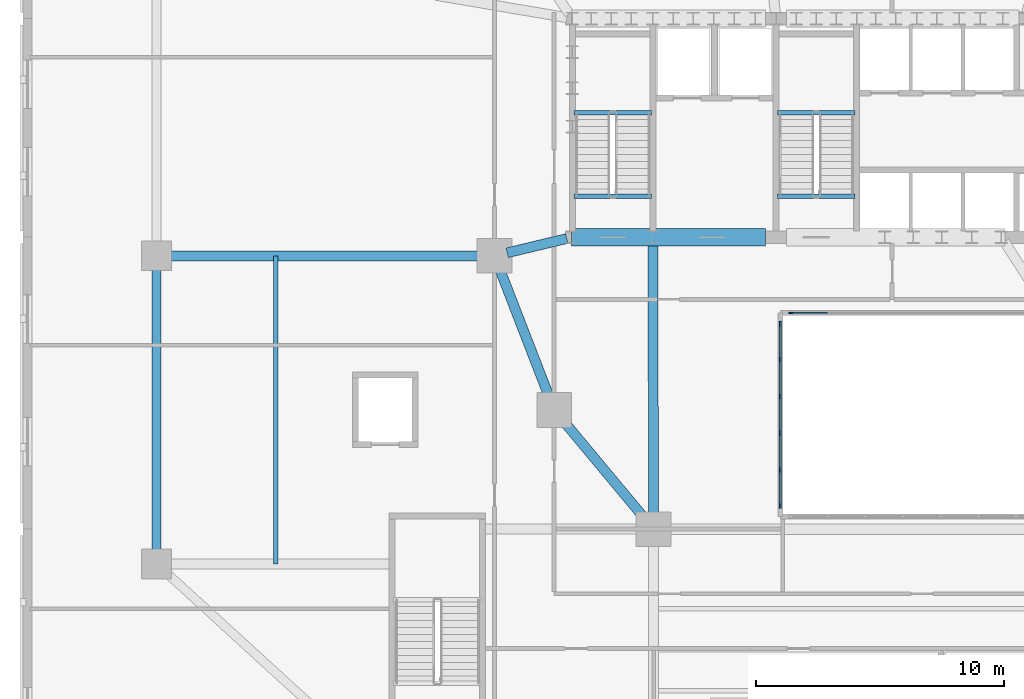
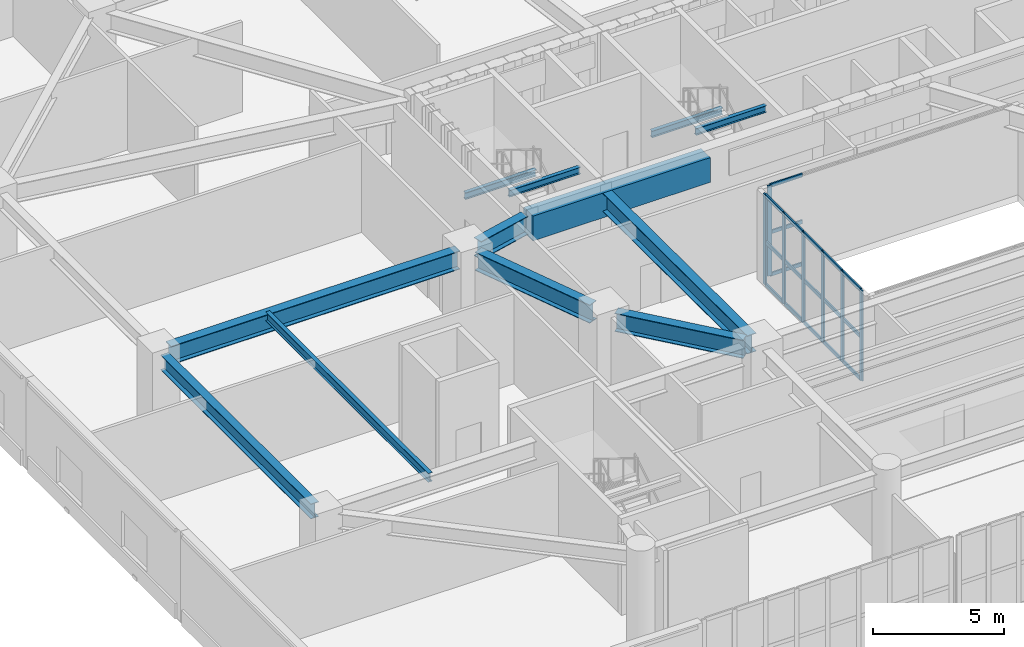
# One storey, part 4 of 25: 25 members, 12 beams, 2 elements without a shape of their own.
"""IFC4 building model written with IfcOpenShell, lengths in metres."""

from ifc_helpers import new_model, si_unit, direction, frame, origin, origin_2d, place, context, subcontext, project, spatial, rectangle, i_section, extrude, material, material_profile, profile_set, type_object, element, aggregate, save


model = new_model("IFC4")

# Units and contexts
model_context = context("Model", 3, precision=1e-05, world=origin(), true_north=direction((0.0, 1.0)))
body_context = subcontext(model_context, "Body", "Model", "MODEL_VIEW")
ifc_project = project(units=[si_unit("LENGTHUNIT", "METRE"), si_unit("AREAUNIT", "SQUARE_METRE"), si_unit("VOLUMEUNIT", "CUBIC_METRE"), si_unit("PLANEANGLEUNIT", "RADIAN"), si_unit("MASSUNIT", "GRAM", prefix="KILO")], contexts=[model_context])

# Site, building, storey
site_placement = place(None, origin())
site = spatial("IfcSite", under=ifc_project, at=site_placement, CompositionType="ELEMENT")
building_placement = place(site_placement, origin())
building = spatial("IfcBuilding", under=site, at=building_placement, Name="Haldorwick Loom Tower", CompositionType="ELEMENT")
storey_placement = place(building_placement, frame((0.0, 0.0, 10.5)))
storey = spatial("IfcBuildingStorey", under=building, at=storey_placement, Name="L02", CompositionType="ELEMENT", Elevation=10.5)

# Curtain wall, member
ifc_material_1 = material(Name="Thermally Broken Anodized Aluminium Curtain Wall Framing", Category="aluminium")
curtain_wall_type = type_object("IfcCurtainWallType", Name="ARC-CW-03", PredefinedType="NOTDEFINED", material=ifc_material_1)
curtain_wall_1_placement = place(storey_placement, origin())
curtain_wall_1 = element("IfcCurtainWall", 1, at=curtain_wall_1_placement, inside=storey, type_object=curtain_wall_type, Name="L02 Atrium Glazed Screen N", PredefinedType="NOTDEFINED")
ifc_material_profile_1 = material_profile(ifc_material_1, rectangle(XDim=0.06591796875, YDim=0.18505859375, at=origin_2d()), Name="ALU_MUL_66X185", Category="aluminium")
ifc_profile_set_1 = profile_set([ifc_material_profile_1], Name="Thermally Broken Anodized Aluminium Curtain Wall Framing")
member_type_1 = type_object("IfcMemberType", Name="ARC-CWM-03", PredefinedType="MULLION", material=ifc_profile_set_1)
member_1_placement = place(storey_placement, frame((30.73291015625, 23.699951171875, 0.0), z_axis=(0.0, 0.0, 1.0), x_axis=(0.0, 1.0, 0.0)))
member_1 = element("IfcMember", 2, at=member_1_placement, type_object=member_type_1, Name="CW-03 mullion 1", PredefinedType="MULLION", context=body_context, shape_type="SweptSolid", body=[
    extrude(rectangle(XDim=0.06591796875, YDim=0.18505859375, at=origin_2d()), origin(), (0.0, 0.0, 1.0), 4.199951171875),
])

# Curtain wall, members
curtain_wall_2_placement = place(storey_placement, origin())
curtain_wall_2 = element("IfcCurtainWall", 3, at=curtain_wall_2_placement, inside=storey, type_object=curtain_wall_type, Name="L02 Atrium Glazed Screen W", PredefinedType="NOTDEFINED")
member_2_placement = place(storey_placement, frame((30.300048828125, 15.93310546875, 0.0), z_axis=(0.0, 0.0, 1.0), x_axis=(-1.0, 0.0, 0.0)))
member_2 = element("IfcMember", 4, at=member_2_placement, type_object=member_type_1, Name="CW-03 mullion 1", PredefinedType="MULLION", context=body_context, shape_type="SweptSolid", body=[
    extrude(rectangle(XDim=0.06591796875, YDim=0.18505859375, at=origin_2d()), origin(), (0.0, 0.0, 1.0), 4.199951171875),
])
member_3_placement = place(storey_placement, frame((30.300048828125, 17.3798828125, 0.0), z_axis=(0.0, 0.0, 1.0), x_axis=(-1.0, 0.0, 0.0)))
member_3 = element("IfcMember", 5, at=member_3_placement, type_object=member_type_1, Name="CW-03 mullion 2", PredefinedType="MULLION", context=body_context, shape_type="SweptSolid", body=[
    extrude(rectangle(XDim=0.06591796875, YDim=0.18505859375, at=origin_2d()), origin(), (0.0, 0.0, 1.0), 4.199951171875),
])
member_4_placement = place(storey_placement, frame((30.300048828125, 18.860107421875, 0.0), z_axis=(0.0, 0.0, 1.0), x_axis=(-1.0, 0.0, 0.0)))
member_4 = element("IfcMember", 6, at=member_4_placement, type_object=member_type_1, Name="CW-03 mullion 3", PredefinedType="MULLION", context=body_context, shape_type="SweptSolid", body=[
    extrude(rectangle(XDim=0.06591796875, YDim=0.18505859375, at=origin_2d()), origin(), (0.0, 0.0, 1.0), 4.199951171875),
])
member_5_placement = place(storey_placement, frame((30.300048828125, 20.340087890625, 0.0), z_axis=(0.0, 0.0, 1.0), x_axis=(-1.0, 0.0, 0.0)))
member_5 = element("IfcMember", 7, at=member_5_placement, type_object=member_type_1, Name="CW-03 mullion 4", PredefinedType="MULLION", context=body_context, shape_type="SweptSolid", body=[
    extrude(rectangle(XDim=0.06591796875, YDim=0.18505859375, at=origin_2d()), origin(), (0.0, 0.0, 1.0), 4.199951171875),
])
member_6_placement = place(storey_placement, frame((30.300048828125, 21.820068359375, 0.0), z_axis=(0.0, 0.0, 1.0), x_axis=(-1.0, 0.0, 0.0)))
member_6 = element("IfcMember", 8, at=member_6_placement, type_object=member_type_1, Name="CW-03 mullion 5", PredefinedType="MULLION", context=body_context, shape_type="SweptSolid", body=[
    extrude(rectangle(XDim=0.06591796875, YDim=0.18505859375, at=origin_2d()), origin(), (0.0, 0.0, 1.0), 4.199951171875),
])
member_7_placement = place(storey_placement, frame((30.300048828125, 23.26708984375, 0.0), z_axis=(0.0, 0.0, 1.0), x_axis=(-1.0, 0.0, 0.0)))
member_7 = element("IfcMember", 9, at=member_7_placement, type_object=member_type_1, Name="CW-03 mullion 6", PredefinedType="MULLION", context=body_context, shape_type="SweptSolid", body=[
    extrude(rectangle(XDim=0.06591796875, YDim=0.18505859375, at=origin_2d()), origin(), (0.0, 0.0, 1.0), 4.199951171875),
])

# Member
ifc_material_profile_2 = material_profile(ifc_material_1, rectangle(XDim=0.06591796875, YDim=0.1650390625, at=origin_2d()), Name="ALU_TRN_66X165", Category="aluminium")
ifc_profile_set_2 = profile_set([ifc_material_profile_2], Name="Thermally Broken Anodized Aluminium Curtain Wall Framing")
member_type_2 = type_object("IfcMemberType", Name="ARC-CWT-03", PredefinedType="USERDEFINED", material=ifc_profile_set_2)
member_8_placement = place(storey_placement, frame((30.76611328125, 23.699951171875, 0.032958984375), z_axis=(1.0, 0.0, 0.0), x_axis=(0.0, 1.0, 0.0)))
member_8 = element("IfcMember", 10, at=member_8_placement, type_object=member_type_2, Name="CW-03 transom 1.1", ObjectType="TRANSOM", PredefinedType="USERDEFINED", context=body_context, shape_type="SweptSolid", body=[
    extrude(rectangle(XDim=0.06591796875, YDim=0.1650390625, at=origin_2d()), origin(), (0.0, 0.0, 1.0), 1.415283203125),
])

member_9_placement = place(storey_placement, frame((30.76611328125, 23.699951171875, 2.0), z_axis=(1.0, 0.0, 0.0), x_axis=(0.0, 1.0, 0.0)))
member_9 = element("IfcMember", 11, at=member_9_placement, type_object=member_type_2, Name="CW-03 transom 1.2", ObjectType="TRANSOM", PredefinedType="USERDEFINED", context=body_context, shape_type="SweptSolid", body=[
    extrude(rectangle(XDim=0.06591796875, YDim=0.1650390625, at=origin_2d()), origin(), (0.0, 0.0, 1.0), 1.415283203125),
])

member_10_placement = place(storey_placement, frame((30.76611328125, 23.699951171875, 4.1669921875), z_axis=(1.0, 0.0, 0.0), x_axis=(0.0, 1.0, 0.0)))
member_10 = element("IfcMember", 12, at=member_10_placement, type_object=member_type_2, Name="CW-03 transom 1.3", ObjectType="TRANSOM", PredefinedType="USERDEFINED", context=body_context, shape_type="SweptSolid", body=[
    extrude(rectangle(XDim=0.06591796875, YDim=0.1650390625, at=origin_2d()), origin(), (0.0, 0.0, 1.0), 1.415283203125),
])

aggregate(curtain_wall_1, [member_1, member_8, member_9, member_10])

member_11_placement = place(storey_placement, frame((30.300048828125, 15.966064453125, 0.032958984375), z_axis=(0.0, 1.0, 0.0), x_axis=(-1.0, 0.0, 0.0)))
member_11 = element("IfcMember", 13, at=member_11_placement, type_object=member_type_2, Name="CW-03 transom 1.1", ObjectType="TRANSOM", PredefinedType="USERDEFINED", context=body_context, shape_type="SweptSolid", body=[
    extrude(rectangle(XDim=0.06591796875, YDim=0.1650390625, at=origin_2d()), origin(), (0.0, 0.0, 1.0), 1.380859375),
])

member_12_placement = place(storey_placement, frame((30.300048828125, 15.966064453125, 2.0), z_axis=(0.0, 1.0, 0.0), x_axis=(-1.0, 0.0, 0.0)))
member_12 = element("IfcMember", 14, at=member_12_placement, type_object=member_type_2, Name="CW-03 transom 1.2", ObjectType="TRANSOM", PredefinedType="USERDEFINED", context=body_context, shape_type="SweptSolid", body=[
    extrude(rectangle(XDim=0.06591796875, YDim=0.1650390625, at=origin_2d()), origin(), (0.0, 0.0, 1.0), 1.380859375),
])

member_13_placement = place(storey_placement, frame((30.300048828125, 15.966064453125, 4.1669921875), z_axis=(0.0, 1.0, 0.0), x_axis=(-1.0, 0.0, 0.0)))
member_13 = element("IfcMember", 15, at=member_13_placement, type_object=member_type_2, Name="CW-03 transom 1.3", ObjectType="TRANSOM", PredefinedType="USERDEFINED", context=body_context, shape_type="SweptSolid", body=[
    extrude(rectangle(XDim=0.06591796875, YDim=0.1650390625, at=origin_2d()), origin(), (0.0, 0.0, 1.0), 1.380859375),
])

member_14_placement = place(storey_placement, frame((30.300048828125, 17.4130859375, 0.032958984375), z_axis=(0.0, 1.0, 0.0), x_axis=(-1.0, 0.0, 0.0)))
member_14 = element("IfcMember", 16, at=member_14_placement, type_object=member_type_2, Name="CW-03 transom 2.1", ObjectType="TRANSOM", PredefinedType="USERDEFINED", context=body_context, shape_type="SweptSolid", body=[
    extrude(rectangle(XDim=0.06591796875, YDim=0.1650390625, at=origin_2d()), origin(), (0.0, 0.0, 1.0), 1.413818359375),
])

member_15_placement = place(storey_placement, frame((30.300048828125, 17.4130859375, 2.0), z_axis=(0.0, 1.0, 0.0), x_axis=(-1.0, 0.0, 0.0)))
member_15 = element("IfcMember", 17, at=member_15_placement, type_object=member_type_2, Name="CW-03 transom 2.2", ObjectType="TRANSOM", PredefinedType="USERDEFINED", context=body_context, shape_type="SweptSolid", body=[
    extrude(rectangle(XDim=0.06591796875, YDim=0.1650390625, at=origin_2d()), origin(), (0.0, 0.0, 1.0), 1.413818359375),
])

member_16_placement = place(storey_placement, frame((30.300048828125, 17.4130859375, 4.1669921875), z_axis=(0.0, 1.0, 0.0), x_axis=(-1.0, 0.0, 0.0)))
member_16 = element("IfcMember", 18, at=member_16_placement, type_object=member_type_2, Name="CW-03 transom 2.3", ObjectType="TRANSOM", PredefinedType="USERDEFINED", context=body_context, shape_type="SweptSolid", body=[
    extrude(rectangle(XDim=0.06591796875, YDim=0.1650390625, at=origin_2d()), origin(), (0.0, 0.0, 1.0), 1.413818359375),
])

member_17_placement = place(storey_placement, frame((30.300048828125, 18.89306640625, 0.032958984375), z_axis=(0.0, 1.0, 0.0), x_axis=(-1.0, 0.0, 0.0)))
member_17 = element("IfcMember", 19, at=member_17_placement, type_object=member_type_2, Name="CW-03 transom 3.1", ObjectType="TRANSOM", PredefinedType="USERDEFINED", context=body_context, shape_type="SweptSolid", body=[
    extrude(rectangle(XDim=0.06591796875, YDim=0.1650390625, at=origin_2d()), origin(), (0.0, 0.0, 1.0), 1.413818359375),
])

member_18_placement = place(storey_placement, frame((30.300048828125, 18.89306640625, 2.0), z_axis=(0.0, 1.0, 0.0), x_axis=(-1.0, 0.0, 0.0)))
member_18 = element("IfcMember", 20, at=member_18_placement, type_object=member_type_2, Name="CW-03 transom 3.2", ObjectType="TRANSOM", PredefinedType="USERDEFINED", context=body_context, shape_type="SweptSolid", body=[
    extrude(rectangle(XDim=0.06591796875, YDim=0.1650390625, at=origin_2d()), origin(), (0.0, 0.0, 1.0), 1.413818359375),
])

member_19_placement = place(storey_placement, frame((30.300048828125, 18.89306640625, 4.1669921875), z_axis=(0.0, 1.0, 0.0), x_axis=(-1.0, 0.0, 0.0)))
member_19 = element("IfcMember", 21, at=member_19_placement, type_object=member_type_2, Name="CW-03 transom 3.3", ObjectType="TRANSOM", PredefinedType="USERDEFINED", context=body_context, shape_type="SweptSolid", body=[
    extrude(rectangle(XDim=0.06591796875, YDim=0.1650390625, at=origin_2d()), origin(), (0.0, 0.0, 1.0), 1.413818359375),
])

member_20_placement = place(storey_placement, frame((30.300048828125, 20.373046875, 0.032958984375), z_axis=(0.0, 1.0, 0.0), x_axis=(-1.0, 0.0, 0.0)))
member_20 = element("IfcMember", 22, at=member_20_placement, type_object=member_type_2, Name="CW-03 transom 4.1", ObjectType="TRANSOM", PredefinedType="USERDEFINED", context=body_context, shape_type="SweptSolid", body=[
    extrude(rectangle(XDim=0.06591796875, YDim=0.1650390625, at=origin_2d()), origin(), (0.0, 0.0, 1.0), 1.4140625),
])

member_21_placement = place(storey_placement, frame((30.300048828125, 20.373046875, 2.0), z_axis=(0.0, 1.0, 0.0), x_axis=(-1.0, 0.0, 0.0)))
member_21 = element("IfcMember", 23, at=member_21_placement, type_object=member_type_2, Name="CW-03 transom 4.2", ObjectType="TRANSOM", PredefinedType="USERDEFINED", context=body_context, shape_type="SweptSolid", body=[
    extrude(rectangle(XDim=0.06591796875, YDim=0.1650390625, at=origin_2d()), origin(), (0.0, 0.0, 1.0), 1.4140625),
])

member_22_placement = place(storey_placement, frame((30.300048828125, 20.373046875, 4.1669921875), z_axis=(0.0, 1.0, 0.0), x_axis=(-1.0, 0.0, 0.0)))
member_22 = element("IfcMember", 24, at=member_22_placement, type_object=member_type_2, Name="CW-03 transom 4.3", ObjectType="TRANSOM", PredefinedType="USERDEFINED", context=body_context, shape_type="SweptSolid", body=[
    extrude(rectangle(XDim=0.06591796875, YDim=0.1650390625, at=origin_2d()), origin(), (0.0, 0.0, 1.0), 1.4140625),
])

member_23_placement = place(storey_placement, frame((30.300048828125, 21.85302734375, 0.032958984375), z_axis=(0.0, 1.0, 0.0), x_axis=(-1.0, 0.0, 0.0)))
member_23 = element("IfcMember", 25, at=member_23_placement, type_object=member_type_2, Name="CW-03 transom 5.1", ObjectType="TRANSOM", PredefinedType="USERDEFINED", context=body_context, shape_type="SweptSolid", body=[
    extrude(rectangle(XDim=0.06591796875, YDim=0.1650390625, at=origin_2d()), origin(), (0.0, 0.0, 1.0), 1.380859375),
])

member_24_placement = place(storey_placement, frame((30.300048828125, 21.85302734375, 2.0), z_axis=(0.0, 1.0, 0.0), x_axis=(-1.0, 0.0, 0.0)))
member_24 = element("IfcMember", 26, at=member_24_placement, type_object=member_type_2, Name="CW-03 transom 5.2", ObjectType="TRANSOM", PredefinedType="USERDEFINED", context=body_context, shape_type="SweptSolid", body=[
    extrude(rectangle(XDim=0.06591796875, YDim=0.1650390625, at=origin_2d()), origin(), (0.0, 0.0, 1.0), 1.380859375),
])

member_25_placement = place(storey_placement, frame((30.300048828125, 21.85302734375, 4.1669921875), z_axis=(0.0, 1.0, 0.0), x_axis=(-1.0, 0.0, 0.0)))
member_25 = element("IfcMember", 27, at=member_25_placement, type_object=member_type_2, Name="CW-03 transom 5.3", ObjectType="TRANSOM", PredefinedType="USERDEFINED", context=body_context, shape_type="SweptSolid", body=[
    extrude(rectangle(XDim=0.06591796875, YDim=0.1650390625, at=origin_2d()), origin(), (0.0, 0.0, 1.0), 1.380859375),
])

aggregate(curtain_wall_2, [member_2, member_3, member_4, member_5, member_6, member_7, member_11, member_12, member_13, member_14, member_15, member_16, member_17, member_18, member_19, member_20, member_21, member_22, member_23, member_24, member_25])

# Beams
ifc_material_2 = material(Name="Concrete C60 (60 MPa)", Category="concrete")
ifc_material_profile_3 = material_profile(ifc_material_2, rectangle(XDim=0.699951171875, YDim=1.14990234375, at=origin_2d()), Name="RC700X1150", Category="concrete")
ifc_profile_set_3 = profile_set([ifc_material_profile_3], Name="Concrete C60 (60 MPa)")
beam_type_1 = type_object("IfcBeamType", Name="STR-BM-CB1150", PredefinedType="LINTEL", material=ifc_profile_set_3)
beam_1_placement = place(storey_placement, frame((21.89990234375, 26.75, 3.625), z_axis=(1.0, 0.0, 0.0), x_axis=(0.0, 1.0, 0.0)))
element("IfcBeam", 28, at=beam_1_placement, inside=storey, type_object=beam_type_1, Name="L02 Core Coupling Beam CB-S1", PredefinedType="LINTEL", context=body_context, shape_type="SweptSolid", body=[
    extrude(rectangle(XDim=0.699951171875, YDim=1.14990234375, at=origin_2d()), origin(), (0.0, 0.0, 1.0), 7.800048828125),
])
ifc_material_3 = material(Name="Steel CSA G40.21 350W", Category="steel")
ifc_material_profile_4 = material_profile(ifc_material_3, i_section(OverallWidth=0.179931640625, OverallDepth=0.4130859375, WebThickness=0.009765625, FlangeThickness=0.01611328125, at=origin_2d()), Name="W410X74", Category="steel")
ifc_profile_set_4 = profile_set([ifc_material_profile_4], Name="Steel CSA G40.21 350W")
beam_type_2 = type_object("IfcBeamType", Name="STR-BM-J410", PredefinedType="JOIST", material=ifc_profile_set_4)
beam_2_placement = place(storey_placement, frame((10.0, 13.60009765625, 3.993408203125), z_axis=(0.0, 1.0, 0.0), x_axis=(-1.0, 0.0, 0.0)))
element("IfcBeam", 29, at=beam_2_placement, inside=storey, type_object=beam_type_2, Name="L02 Podium Secondary Joist PJ-W1", PredefinedType="JOIST", context=body_context, shape_type="SweptSolid", body=[
    extrude(i_section(OverallWidth=0.179931640625, OverallDepth=0.4130859375, WebThickness=0.009765625, FlangeThickness=0.01611328125, at=origin_2d()), origin(), (0.0, 0.0, 1.0), 12.39990234375),
])
ifc_material_profile_5 = material_profile(ifc_material_3, i_section(OverallWidth=0.35498046875, OverallDepth=0.695068359375, WebThickness=0.015380859375, FlangeThickness=0.02490234375, at=origin_2d()), Name="W690X217", Category="steel")
ifc_profile_set_5 = profile_set([ifc_material_profile_5], Name="Steel CSA G40.21 350W")
beam_type_3 = type_object("IfcBeamType", Name="STR-BM-SP690", PredefinedType="SPANDREL", material=ifc_profile_set_5)
beam_3_placement = place(storey_placement, frame((5.199951171875, 25.52001953125, 3.8525390625), z_axis=(0.0, -1.0, 0.0), x_axis=(1.0, 0.0, 0.0)))
element("IfcBeam", 30, at=beam_3_placement, inside=storey, type_object=beam_type_3, Name="L02 Podium Spandrel PSP-W2", PredefinedType="SPANDREL", context=body_context, shape_type="SweptSolid", body=[
    extrude(i_section(OverallWidth=0.35498046875, OverallDepth=0.695068359375, WebThickness=0.015380859375, FlangeThickness=0.02490234375, at=origin_2d()), origin(), (0.0, 0.0, 1.0), 11.43994140625),
])
ifc_material_profile_6 = material_profile(ifc_material_3, i_section(OverallWidth=0.166015625, OverallDepth=0.31298828125, WebThickness=0.006591796875, FlangeThickness=0.01123046875, at=origin_2d()), Name="W310X45", Category="steel")
ifc_profile_set_6 = profile_set([ifc_material_profile_6], Name="Steel CSA G40.21 350W")
beam_type_4 = type_object("IfcBeamType", Name="STR-BM-STRM", PredefinedType="BEAM", material=ifc_profile_set_6)
for number, where, z_axis, x_axis, name in (
    (31, (21.989990234375, 28.39990234375, 4.04345703125), (1.0, 0.0, 0.0), (0.0, 1.0, 0.0), "L02 Stair ST-01 Landing Edge Trimmer"),
    (32, (21.989990234375, 31.760009765625, 1.8935546875), (1.0, 0.0, 0.0), (0.0, 1.0, 0.0), "L02 Stair ST-01 Half-Landing Trimmer 1"),
    (33, (30.18994140625, 28.39990234375, 4.04345703125), (1.0, 0.0, 0.0), (0.0, 1.0, 0.0), "L02 Stair ST-03 Landing Edge Trimmer"),
    (34, (30.18994140625, 31.760009765625, 1.8935546875), (1.0, 0.0, 0.0), (0.0, 1.0, 0.0), "L02 Stair ST-03 Half-Landing Trimmer 1"),
):
    element("IfcBeam", number, at=place(storey_placement, frame(where, z_axis=z_axis, x_axis=x_axis)), inside=storey, type_object=beam_type_4, Name=name, PredefinedType="BEAM", context=body_context, shape_type="SweptSolid", body=[
        extrude(i_section(OverallWidth=0.166015625, OverallDepth=0.31298828125, WebThickness=0.006591796875, FlangeThickness=0.01123046875, at=origin_2d()), origin(), (0.0, 0.0, 1.0), 3.1201171875),
    ])
ifc_material_profile_7 = material_profile(ifc_material_3, i_section(OverallWidth=0.39990234375, OverallDepth=0.85498046875, WebThickness=0.018310546875, FlangeThickness=0.029296875, at=origin_2d()), Name="W840X299", Category="steel")
ifc_profile_set_7 = profile_set([ifc_material_profile_7], Name="Steel CSA G40.21 350W")
beam_type_5 = type_object("IfcBeamType", Name="STR-BM-W840", PredefinedType="BEAM", material=ifc_profile_set_7)
beam_4_placement = place(storey_placement, frame((21.711181640625, 26.697509765625, 3.7724609375), z_axis=(-0.97247055837, -0.233025777764, 0.0), x_axis=(0.233025777764, -0.97247055837, 0.0)))
element("IfcBeam", 35, at=beam_4_placement, inside=storey, type_object=beam_type_5, Name="L02 Podium Inner Girder INW-1", PredefinedType="BEAM", context=body_context, shape_type="SweptSolid", body=[
    extrude(i_section(OverallWidth=0.39990234375, OverallDepth=0.85498046875, WebThickness=0.018310546875, FlangeThickness=0.029296875, at=origin_2d()), origin(), (0.0, 0.0, 1.0), 2.4736328125),
])
beam_5_placement = place(storey_placement, frame((18.98779296875, 25.51513671875, 3.7724609375), z_axis=(0.360964792353, -0.93257944363, 0.0), x_axis=(0.93257944363, 0.360964792353, 0.0)))
element("IfcBeam", 36, at=beam_5_placement, inside=storey, type_object=beam_type_5, Name="L02 Podium Inner Girder INW-2", PredefinedType="BEAM", context=body_context, shape_type="SweptSolid", body=[
    extrude(i_section(OverallWidth=0.39990234375, OverallDepth=0.85498046875, WebThickness=0.018310546875, FlangeThickness=0.029296875, at=origin_2d()), origin(), (0.0, 0.0, 1.0), 5.6083984375),
])
beam_6_placement = place(storey_placement, frame((21.532958984375, 19.400390625, 3.7724609375), z_axis=(0.640193621243, -0.768213594855, 0.0), x_axis=(0.768213594855, 0.640193621243, 0.0)))
element("IfcBeam", 37, at=beam_6_placement, inside=storey, type_object=beam_type_5, Name="L02 Podium Inner Girder INW-3", PredefinedType="BEAM", context=body_context, shape_type="SweptSolid", body=[
    extrude(i_section(OverallWidth=0.39990234375, OverallDepth=0.85498046875, WebThickness=0.018310546875, FlangeThickness=0.029296875, at=origin_2d()), origin(), (0.0, 0.0, 1.0), 5.208251953125),
])
beam_7_placement = place(storey_placement, frame((25.198974609375, 15.449951171875, 3.7724609375), z_axis=(-0.00255714174, 0.999996730508, 0.0), x_axis=(-0.999996730508, -0.00255714174, 0.0)))
element("IfcBeam", 38, at=beam_7_placement, inside=storey, type_object=beam_type_5, Name="L02 Podium Primary Girder PG-04", PredefinedType="BEAM", context=body_context, shape_type="SweptSolid", body=[
    extrude(i_section(OverallWidth=0.39990234375, OverallDepth=0.85498046875, WebThickness=0.018310546875, FlangeThickness=0.029296875, at=origin_2d()), origin(), (0.0, 0.0, 1.0), 11.074951171875),
])
beam_8_placement = place(storey_placement, frame((5.64990234375, 26.0, 3.7724609375), z_axis=(1.0, 0.0, 0.0), x_axis=(0.0, 1.0, 0.0)))
element("IfcBeam", 39, at=beam_8_placement, inside=storey, type_object=beam_type_5, Name="L02 Podium Primary Girder PG-08", PredefinedType="BEAM", context=body_context, shape_type="SweptSolid", body=[
    extrude(i_section(OverallWidth=0.39990234375, OverallDepth=0.85498046875, WebThickness=0.018310546875, FlangeThickness=0.029296875, at=origin_2d()), origin(), (0.0, 0.0, 1.0), 12.7001953125),
])

save(model, "model.ifc")
